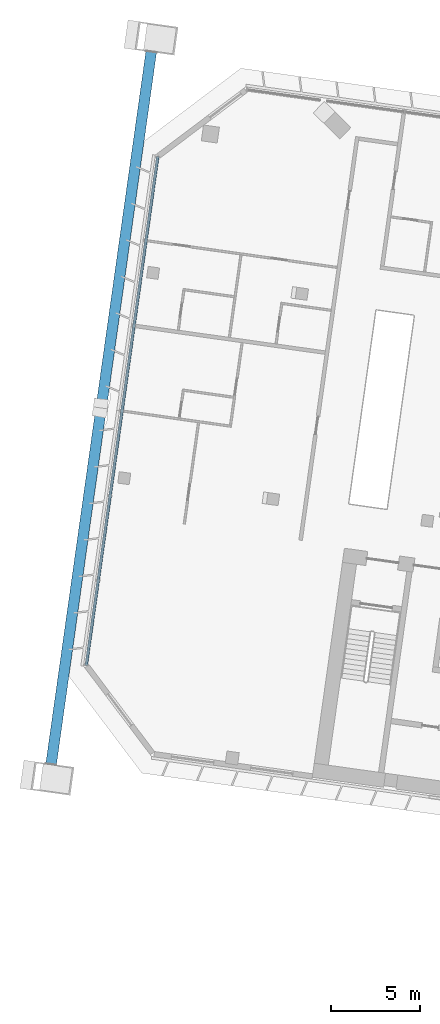
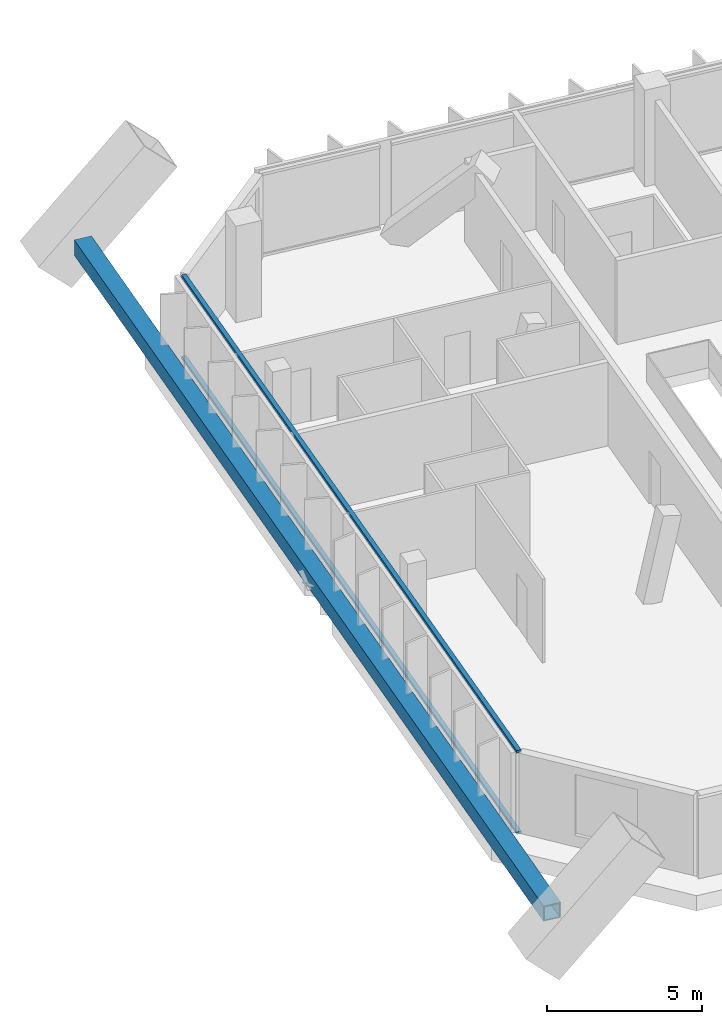
# One storey, part 3 of 34: 3 members, 1 element without a shape of its own.
"""IFC4 building model written with IfcOpenShell, lengths in metres."""

from ifc_helpers import new_model, si_unit, direction, frame, origin, origin_2d, place, context, subcontext, project, spatial, rectangle, hollow_rectangle, extrude, material, material_profile, profile_set, type_object, element, aggregate, save


model = new_model("IFC4")

# Units and contexts
model_context = context("Model", 3, precision=1e-05, world=origin(), true_north=direction((0.0, 1.0)))
body_context = subcontext(model_context, "Body", "Model", "MODEL_VIEW")
ifc_project = project(units=[si_unit("LENGTHUNIT", "METRE"), si_unit("AREAUNIT", "SQUARE_METRE"), si_unit("VOLUMEUNIT", "CUBIC_METRE"), si_unit("PLANEANGLEUNIT", "RADIAN"), si_unit("MASSUNIT", "GRAM", prefix="KILO")], contexts=[model_context])

# Site, building, storey
site_placement = place(None, origin())
site = spatial("IfcSite", under=ifc_project, at=site_placement, CompositionType="ELEMENT")
building_placement = place(site_placement, origin())
building = spatial("IfcBuilding", under=site, at=building_placement, Name="Mirante Cascada Hotel Towers", CompositionType="ELEMENT")
storey_placement = place(building_placement, frame((0.0, 0.0, 148.1)))
storey = spatial("IfcBuildingStorey", under=building, at=storey_placement, Name="L34", CompositionType="ELEMENT", Elevation=148.1)

# Member
ifc_material_1 = material(Name="Steel ASTM A572 Gr 50", Category="steel")
ifc_material_profile_1 = material_profile(ifc_material_1, hollow_rectangle(XDim=0.6, YDim=0.6, WallThickness=0.04, at=origin_2d()), Name="Box chord 600x600x40 ASTM A572 Gr 50")
ifc_profile_set_1 = profile_set([ifc_material_profile_1], Name="Steel ASTM A572 Gr 50")
member_type_1 = type_object("IfcMemberType", Name="Box chord 600x600x40 ASTM A572 Gr 50", PredefinedType="CHORD", material=ifc_profile_set_1)
member_1_placement = place(storey_placement, frame((-105.1356, -11.8591, 1.0), z_axis=(0.1391742, 0.9902679, 0.0), x_axis=(-0.9902679, 0.1391742, 0.0)))
element("IfcMember", 1, at=member_1_placement, inside=storey, type_object=member_type_1, Name="exochord T1 L34 1", PredefinedType="CHORD", context=body_context, shape_type="SweptSolid", body=[
    extrude(hollow_rectangle(XDim=0.6, YDim=0.6, WallThickness=0.04, at=origin_2d()), origin(), (0.0, 0.0, 1.0), 40.44),
])

# Curtain wall, members
ifc_material_2 = material(Name="Aluminium mullion and transom frame with clear laminated glass", Category="aluminium")
curtain_wall_type = type_object("IfcCurtainWallType", Name="End ribbon curtain wall ECW2", PredefinedType="NOTDEFINED", material=ifc_material_2)
curtain_wall_placement = place(storey_placement, origin())
curtain_wall = element("IfcCurtainWall", 2, at=curtain_wall_placement, inside=storey, type_object=curtain_wall_type, Name="Outer end wall T1 L34", PredefinedType="NOTDEFINED")
ifc_material_3 = material(Name="Anodised aluminium extrusion", Category="aluminium")
ifc_material_profile_2 = material_profile(ifc_material_3, rectangle(XDim=0.16, YDim=0.1, at=origin_2d()), Name="ECW2 TRANSOM 100x160")
ifc_profile_set_2 = profile_set([ifc_material_profile_2], Name="Anodised aluminium extrusion")
member_type_2 = type_object("IfcMemberType", Name="ECW2 transom 100x160", PredefinedType="USERDEFINED", material=ifc_profile_set_2)
member_2_placement = place(storey_placement, frame((-103.1601, -6.2978, 0.05), z_axis=(0.1391723, 0.9902682, 0.0), x_axis=(-0.9902682, 0.1391723, 0.0)))
member_2 = element("IfcMember", 3, at=member_2_placement, type_object=member_type_2, Name="ECW2 sill transom", ObjectType="TRANSOM", PredefinedType="USERDEFINED", context=body_context, shape_type="SweptSolid", body=[
    extrude(rectangle(XDim=0.16, YDim=0.1, at=origin_2d()), origin(), (0.0, 0.0, 1.0), 28.8757),
])
member_3_placement = place(storey_placement, frame((-103.1601, -6.2978, 3.25), z_axis=(0.1391723, 0.9902682, 0.0), x_axis=(-0.9902682, 0.1391723, 0.0)))
member_3 = element("IfcMember", 4, at=member_3_placement, type_object=member_type_2, Name="ECW2 head transom", ObjectType="TRANSOM", PredefinedType="USERDEFINED", context=body_context, shape_type="SweptSolid", body=[
    extrude(rectangle(XDim=0.16, YDim=0.1, at=origin_2d()), origin(), (0.0, 0.0, 1.0), 28.8757),
])
aggregate(curtain_wall, [member_2, member_3])

save(model, "model.ifc")
